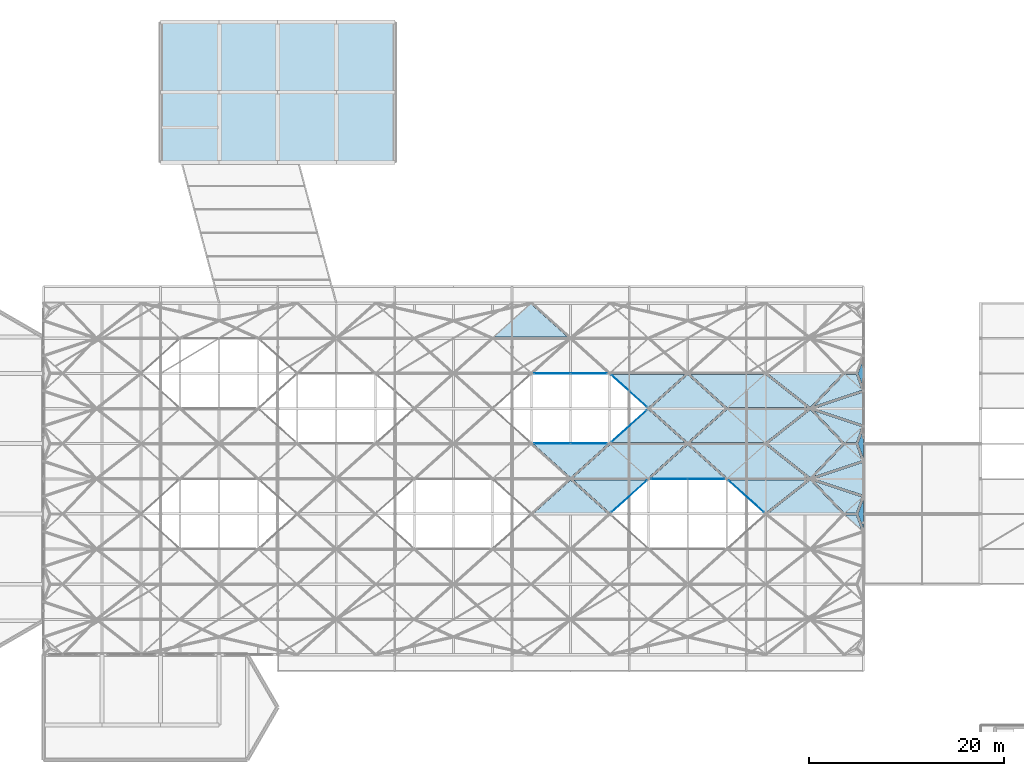
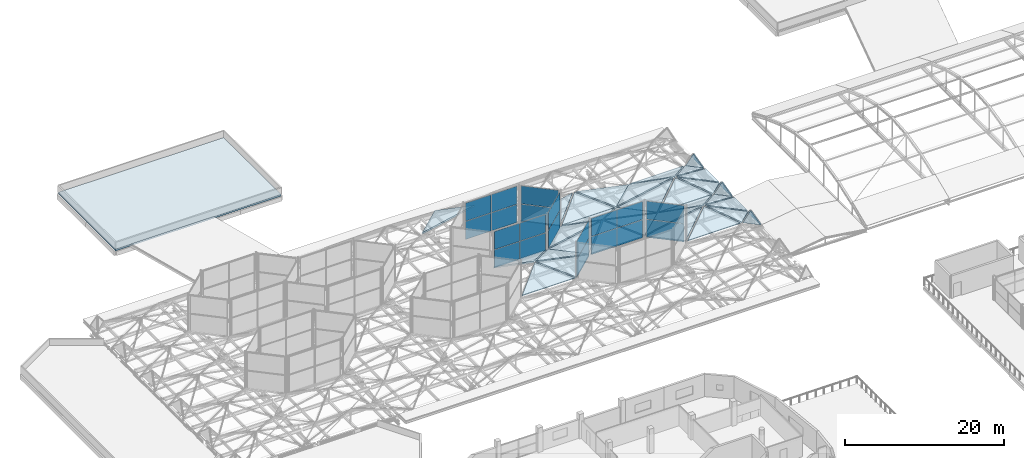
# One storey, part 215 of 239: 37 slabs, 20 plates, 7 elements without a shape of their own.
"""IFC4 building model written with IfcOpenShell, lengths in metres."""

import ifcopenshell
import ifcopenshell.guid

model = None  # the IFC model being written
_history = None  # IfcOwnerHistory: only IFC2X3 demands one
_inside = {}  # id of a spatial element -> (the spatial element, [elements in it])
_under = {}  # id of a project, library or spatial element -> (it, [spatial elements below it])
_declared = {}  # id of a project -> (the project, [libraries it declares])
_typed = {}  # id of a type object -> (the type object, [elements of that type])
_made_of = {}  # id of a material, layer set ... -> (it, [elements and type objects made of it])


def new_model(schema):
    """Start an empty IFC model of exactly this schema.

    Asked for "IFC4X3", IfcOpenShell would pick the latest addendum, in which some entities
    have other attributes; the version numbers below select the first issue.
    IFC2X3 requires an IfcOwnerHistory on every rooted entity: one is made here for all.
    """
    global model, _history
    if schema == "IFC4X3":
        model = ifcopenshell.file(schema_version=(4, 3, 0, 0))
    else:
        model = ifcopenshell.file(schema=schema)
    _inside.clear()
    _under.clear()
    _declared.clear()
    _typed.clear()
    _made_of.clear()
    _history = None
    if model.schema == "IFC2X3":
        org = make("IfcOrganization", Name="unknown")
        user = make(
            "IfcPersonAndOrganization",
            ThePerson=make("IfcPerson", FamilyName="unknown"),
            TheOrganization=org,
        )
        app = make(
            "IfcApplication",
            ApplicationDeveloper=org,
            Version="unknown",
            ApplicationFullName="unknown",
            ApplicationIdentifier="unknown",
        )
        _history = make(
            "IfcOwnerHistory",
            OwningUser=user,
            OwningApplication=app,
            ChangeAction="ADDED",
            CreationDate=0,
        )
    return model


def make(cls, **values):
    """One entity of the class cls with the attributes given. An attribute that is None is left unset."""
    return model.create_entity(
        cls, **{name: value for name, value in values.items() if value is not None}
    )


def rooted(cls, **values):
    """An entity with a GlobalId (a new one), such as an element, a storey or a relation."""
    return make(cls, GlobalId=ifcopenshell.guid.new(), OwnerHistory=_history, **values)


def si_unit(unit_type, name, prefix=None):
    """IfcSIUnit, for example si_unit("LENGTHUNIT", "METRE", prefix="MILLI")."""
    return make("IfcSIUnit", UnitType=unit_type, Prefix=prefix, Name=name)


def assignment(units):
    """IfcUnitAssignment: the units of a project."""
    return None if units is None else make("IfcUnitAssignment", Units=units)


def point(xyz):
    """IfcCartesianPoint."""
    return None if xyz is None else make("IfcCartesianPoint", Coordinates=xyz)


def direction(xyz):
    """IfcDirection."""
    return None if xyz is None else make("IfcDirection", DirectionRatios=xyz)


def frame(location, z_axis=None, x_axis=None):
    """IfcAxis2Placement3D, a coordinate frame: its origin and axes. An axis left out is left unset."""
    return make(
        "IfcAxis2Placement3D",
        Location=point(location),
        Axis=direction(z_axis),
        RefDirection=direction(x_axis),
    )


def frame_2d(location, x_axis=None):
    """IfcAxis2Placement2D, a coordinate frame in the plane: its origin and x axis."""
    return make(
        "IfcAxis2Placement2D", Location=point(location), RefDirection=direction(x_axis)
    )


def origin():
    """The frame at (0, 0, 0) with its axes left unset."""
    return frame((0.0, 0.0, 0.0))


def origin_2d():
    """The frame at (0, 0) in the plane with its x axis left unset."""
    return frame_2d((0.0, 0.0))


def place(relative_to, where):
    """IfcLocalPlacement: puts the frame where relative to a parent placement (None: the world)."""
    return make(
        "IfcLocalPlacement", PlacementRelTo=relative_to, RelativePlacement=where
    )


def context(
    kind, dimensions, precision=None, world=None, true_north=None, identifier=None
):
    """IfcGeometricRepresentationContext, for example the 3D "Model" context."""
    return make(
        "IfcGeometricRepresentationContext",
        ContextIdentifier=identifier,
        ContextType=kind,
        CoordinateSpaceDimension=dimensions,
        Precision=precision,
        WorldCoordinateSystem=world,
        TrueNorth=true_north,
    )


def subcontext(parent, identifier, kind, view, scale=None):
    """IfcGeometricRepresentationSubContext, for example "Body" below "Model"."""
    return make(
        "IfcGeometricRepresentationSubContext",
        ContextIdentifier=identifier,
        ContextType=kind,
        ParentContext=parent,
        TargetScale=scale,
        TargetView=view,
    )


def project(units=None, contexts=None):
    """IfcProject with its units and contexts."""
    return rooted(
        "IfcProject",
        Name="project",
        RepresentationContexts=contexts,
        UnitsInContext=assignment(units),
    )


def spatial(cls, under=None, at=None, **own):
    """A site, building, storey or space (cls), placed at a placement, below another one or the project."""
    s = rooted(cls, ObjectPlacement=at, **own)
    if under is not None:
        _under.setdefault(under.id(), (under, []))[1].append(s)
    return s


def polyline(points):
    """IfcPolyline through the points."""
    return make("IfcPolyline", Points=[point(p) for p in points])


def profile(cls, at=None, kind="AREA", **sizes):
    """A parametric profile (cls). Its sizes go by their IFC names, for example OverallWidth=200.0."""
    return make(cls, ProfileType=kind, Position=at, **sizes)


def rectangle(**sizes):
    """IfcRectangleProfileDef."""
    return profile("IfcRectangleProfileDef", **sizes)


def outline(outer, holes=None, kind="AREA"):
    """IfcArbitraryClosedProfileDef: a profile drawn as a closed curve; with holes, ...WithVoids."""
    if holes is None:
        return make("IfcArbitraryClosedProfileDef", ProfileType=kind, OuterCurve=outer)
    return make(
        "IfcArbitraryProfileDefWithVoids",
        ProfileType=kind,
        OuterCurve=outer,
        InnerCurves=holes,
    )


def extrude(swept, where, along, depth):
    """IfcExtrudedAreaSolid: the profile swept, set in the frame where, extruded along a direction by depth."""
    return make(
        "IfcExtrudedAreaSolid",
        SweptArea=swept,
        Position=where,
        ExtrudedDirection=direction(along),
        Depth=depth,
    )


def shape(context_of_items, identifier, shape_type, items):
    """IfcShapeRepresentation: the items that make up one representation, for example the "Body"."""
    return make(
        "IfcShapeRepresentation",
        ContextOfItems=context_of_items,
        RepresentationIdentifier=identifier,
        RepresentationType=shape_type,
        Items=items,
    )


def material(Name=None, Category=None):
    """IfcMaterial."""
    return make("IfcMaterial", Name=Name, Category=Category)


def layer(
    of_material, thickness, ventilated=None, Name=None, Category=None, Priority=None
):
    """IfcMaterialLayer: one layer of a wall or slab, of a material (None: an air gap)."""
    return make(
        "IfcMaterialLayer",
        Material=of_material,
        LayerThickness=thickness,
        IsVentilated=ventilated,
        Name=Name,
        Category=Category,
        Priority=Priority,
    )


def layer_set(layers, Name=None):
    """IfcMaterialLayerSet."""
    return make("IfcMaterialLayerSet", MaterialLayers=layers, LayerSetName=Name)


def made_of(thing, what):
    """Note that an element or type object is made of a material, layer set ...; save() writes the relation."""
    if what is not None:
        _made_of.setdefault(what.id(), (what, []))[1].append(thing)
    return thing


def type_object(cls, material=None, **own):
    """A type object (cls), such as IfcWallType, which elements share."""
    return made_of(rooted(cls, **own), material)


def element(
    cls,
    number,
    at=None,
    inside=None,
    cuts=None,
    type_object=None,
    material=None,
    context=None,
    identifier="Body",
    shape_type=None,
    held_by="IfcProductDefinitionShape",
    body=None,
    shapes=None,
    **own,
):
    """One element of the class cls, such as IfcWall. Its Tag is "e" and its number.

    at: its placement. inside: the storey or other place that contains it. cuts: it is an
    opening in that element (IfcRelVoidsElement). A single representation is given by context,
    identifier, shape_type and body (its items); several are given by shapes. held_by: the class
    of the entity that holds the representations. save() writes the other relations.
    """
    e = rooted(cls, Tag="e%d" % number, ObjectPlacement=at, **own)
    if body is not None:
        shapes = [shape(context, identifier, shape_type, body)]
    if shapes is not None:
        e.Representation = make(held_by, Representations=shapes)
    if inside is not None:
        _inside.setdefault(inside.id(), (inside, []))[1].append(e)
    if cuts is not None:
        rooted(
            "IfcRelVoidsElement", RelatingBuildingElement=cuts, RelatedOpeningElement=e
        )
    if type_object is not None:
        _typed.setdefault(type_object.id(), (type_object, []))[1].append(e)
    return made_of(e, material)


def aggregate(whole, parts):
    """IfcRelAggregates: a whole, such as a stair, and the parts it consists of."""
    return rooted("IfcRelAggregates", RelatingObject=whole, RelatedObjects=parts)


def save(model, path):
    """Write the relations noted so far, then the file.

    IfcRelAggregates (storeys below a building ...), IfcRelContainedInSpatialStructure (elements
    in a storey), IfcRelDefinesByType, IfcRelAssociatesMaterial and IfcRelDeclares: one each for
    every whole, place, type object, material and project.
    """
    for whole, parts in _under.values():
        aggregate(whole, parts)
    for where, things in _inside.values():
        rooted(
            "IfcRelContainedInSpatialStructure",
            RelatedElements=things,
            RelatingStructure=where,
        )
    for kind, things in _typed.values():
        rooted("IfcRelDefinesByType", RelatedObjects=things, RelatingType=kind)
    for what, things in _made_of.values():
        rooted("IfcRelAssociatesMaterial", RelatedObjects=things, RelatingMaterial=what)
    for by, libraries in _declared.values():
        rooted("IfcRelDeclares", RelatingContext=by, RelatedDefinitions=libraries)
    model.write(path)


model = new_model("IFC4")

# Units and contexts
model_context = context("Model", 3, precision=1e-05, world=origin(), true_north=direction((0.0, 1.0)))
body_context = subcontext(model_context, "Body", "Model", "MODEL_VIEW")
ifc_project = project(units=[si_unit("LENGTHUNIT", "METRE"), si_unit("AREAUNIT", "SQUARE_METRE"), si_unit("VOLUMEUNIT", "CUBIC_METRE"), si_unit("PLANEANGLEUNIT", "RADIAN"), si_unit("MASSUNIT", "GRAM", prefix="KILO")], contexts=[model_context])

# Site, building, storey
site_placement = place(None, origin())
site = spatial("IfcSite", under=ifc_project, at=site_placement, CompositionType="ELEMENT")
building_placement = place(site_placement, origin())
building = spatial("IfcBuilding", under=site, at=building_placement, Name="Dunvalen Ferry Terminal", CompositionType="ELEMENT")
storey_placement = place(building_placement, frame((0.0, 0.0, 9.840087890625)))
storey = spatial("IfcBuildingStorey", under=building, at=storey_placement, Name="L02", CompositionType="ELEMENT", Elevation=9.840087890625)

# Curtain wall, plates
ifc_material_1 = material(Name="Anodised marine aluminium and solar-control glazing", Category="aluminium")
ifc_layer_1 = layer(ifc_material_1, 0.179931640625, Name="Anodised marine aluminium and solar-control glazing")
ifc_layer_set_1 = layer_set([ifc_layer_1], Name="Anodised marine aluminium and solar-control glazing")
curtain_wall_type_1 = type_object("IfcCurtainWallType", Name="ENV-CW-SYS-06", PredefinedType="NOTDEFINED", material=ifc_layer_set_1)
curtain_wall_1_placement = place(storey_placement, origin())
curtain_wall_1 = element("IfcCurtainWall", 1, at=curtain_wall_1_placement, inside=storey, type_object=curtain_wall_type_1, Name="L02 Curtain Wall CW-HEX-32-SK-2", PredefinedType="NOTDEFINED")
ifc_material_2 = material(Name="Low-E solar-control laminated double glazing", Category="glass")
ifc_layer_2 = layer(ifc_material_2, 0.0400390625, Name="Low-E solar-control laminated double glazing")
ifc_layer_set_2 = layer_set([ifc_layer_2], Name="Low-E solar-control laminated double glazing")
plate_type = type_object("IfcPlateType", Name="ENV-CW-PNL-4", PredefinedType="CURTAIN_PANEL", material=ifc_layer_set_2)
plate_1_placement = place(storey_placement, frame((64.125, 72.0, 1.19970703125), z_axis=(0.0, 0.0, 1.0), x_axis=(1.0, 0.0, 0.0)))
plate_1 = element("IfcPlate", 2, at=plate_1_placement, type_object=plate_type, Name="CW-06 panel 1.1", PredefinedType="CURTAIN_PANEL", context=body_context, shape_type="SweptSolid", body=[
    extrude(rectangle(XDim=3.68994140625, YDim=0.0400390625, at=origin_2d()), origin(), (0.0, 0.0, 1.0), 2.760009765625),
])
plate_2_placement = place(storey_placement, frame((64.125, 72.0, 4.02001953125), z_axis=(0.0, 0.0, 1.0), x_axis=(1.0, 0.0, 0.0)))
plate_2 = element("IfcPlate", 3, at=plate_2_placement, type_object=plate_type, Name="CW-06 panel 1.2", PredefinedType="CURTAIN_PANEL", context=body_context, shape_type="SweptSolid", body=[
    extrude(rectangle(XDim=3.68994140625, YDim=0.0400390625, at=origin_2d()), origin(), (0.0, 0.0, 1.0), 2.760009765625),
])
plate_3_placement = place(storey_placement, frame((67.875, 72.0, 1.19970703125), z_axis=(0.0, 0.0, 1.0), x_axis=(1.0, 0.0, 0.0)))
plate_3 = element("IfcPlate", 4, at=plate_3_placement, type_object=plate_type, Name="CW-06 panel 2.1", PredefinedType="CURTAIN_PANEL", context=body_context, shape_type="SweptSolid", body=[
    extrude(rectangle(XDim=3.68994140625, YDim=0.0400390625, at=origin_2d()), origin(), (0.0, 0.0, 1.0), 2.760009765625),
])
plate_4_placement = place(storey_placement, frame((67.875, 72.0, 4.02001953125), z_axis=(0.0, 0.0, 1.0), x_axis=(1.0, 0.0, 0.0)))
plate_4 = element("IfcPlate", 5, at=plate_4_placement, type_object=plate_type, Name="CW-06 panel 2.2", PredefinedType="CURTAIN_PANEL", context=body_context, shape_type="SweptSolid", body=[
    extrude(rectangle(XDim=3.68994140625, YDim=0.0400390625, at=origin_2d()), origin(), (0.0, 0.0, 1.0), 2.760009765625),
])
aggregate(curtain_wall_1, [plate_1, plate_2, plate_3, plate_4])

ifc_layer_3 = layer(ifc_material_1, 0.179931640625, Name="Anodised marine aluminium and solar-control glazing")
ifc_layer_set_3 = layer_set([ifc_layer_3], Name="Anodised marine aluminium and solar-control glazing")
curtain_wall_type_2 = type_object("IfcCurtainWallType", Name="ENV-CW-SYS-05", PredefinedType="NOTDEFINED", material=ifc_layer_set_3)
curtain_wall_2_placement = place(storey_placement, origin())
curtain_wall_2 = element("IfcCurtainWall", 6, at=curtain_wall_2_placement, inside=storey, type_object=curtain_wall_type_2, Name="L02 Curtain Wall CW-HEX-32-SK-3", PredefinedType="NOTDEFINED")
plate_5_placement = place(storey_placement, frame((72.0, 73.800048828125, 1.19970703125), z_axis=(0.0, 0.0, 1.0), x_axis=(0.74330420875, 0.668953550894, 0.0)))
plate_5 = element("IfcPlate", 7, at=plate_5_placement, type_object=plate_type, Name="CW-05 panel 1.1", PredefinedType="CURTAIN_PANEL", context=body_context, shape_type="SweptSolid", body=[
    extrude(rectangle(XDim=4.821533203125, YDim=0.0400390625, at=origin_2d()), origin(), (0.0, 0.0, 1.0), 2.760009765625),
])
plate_6_placement = place(storey_placement, frame((72.0, 73.800048828125, 4.02001953125), z_axis=(0.0, 0.0, 1.0), x_axis=(0.74330420875, 0.668953550894, 0.0)))
plate_6 = element("IfcPlate", 8, at=plate_6_placement, type_object=plate_type, Name="CW-05 panel 1.2", PredefinedType="CURTAIN_PANEL", context=body_context, shape_type="SweptSolid", body=[
    extrude(rectangle(XDim=4.821533203125, YDim=0.0400390625, at=origin_2d()), origin(), (0.0, 0.0, 1.0), 2.760009765625),
])
aggregate(curtain_wall_2, [plate_5, plate_6])

curtain_wall_3_placement = place(storey_placement, origin())
curtain_wall_3 = element("IfcCurtainWall", 9, at=curtain_wall_3_placement, inside=storey, type_object=curtain_wall_type_1, Name="L02 Curtain Wall CW-HEX-32-SK-4", PredefinedType="NOTDEFINED")
plate_7_placement = place(storey_placement, frame((72.0, 77.39990234375, 1.19970703125), z_axis=(0.0, 0.0, 1.0), x_axis=(-0.74330420875, 0.668953550894, 0.0)))
plate_7 = element("IfcPlate", 10, at=plate_7_placement, type_object=plate_type, Name="CW-06 panel 1.1", PredefinedType="CURTAIN_PANEL", context=body_context, shape_type="SweptSolid", body=[
    extrude(rectangle(XDim=4.821533203125, YDim=0.0400390625, at=origin_2d()), origin(), (0.0, 0.0, 1.0), 2.760009765625),
])
plate_8_placement = place(storey_placement, frame((72.0, 77.39990234375, 4.02001953125), z_axis=(0.0, 0.0, 1.0), x_axis=(-0.74330420875, 0.668953550894, 0.0)))
plate_8 = element("IfcPlate", 11, at=plate_8_placement, type_object=plate_type, Name="CW-06 panel 1.2", PredefinedType="CURTAIN_PANEL", context=body_context, shape_type="SweptSolid", body=[
    extrude(rectangle(XDim=4.821533203125, YDim=0.0400390625, at=origin_2d()), origin(), (0.0, 0.0, 1.0), 2.760009765625),
])
aggregate(curtain_wall_3, [plate_7, plate_8])

curtain_wall_4_placement = place(storey_placement, origin())
curtain_wall_4 = element("IfcCurtainWall", 12, at=curtain_wall_4_placement, inside=storey, type_object=curtain_wall_type_2, Name="L02 Curtain Wall CW-HEX-32-SK-5", PredefinedType="NOTDEFINED")
plate_9_placement = place(storey_placement, frame((67.875, 79.199951171875, 1.19970703125), z_axis=(0.0, 0.0, 1.0), x_axis=(-1.0, 0.0, 0.0)))
plate_9 = element("IfcPlate", 13, at=plate_9_placement, type_object=plate_type, Name="CW-05 panel 1.1", PredefinedType="CURTAIN_PANEL", context=body_context, shape_type="SweptSolid", body=[
    extrude(rectangle(XDim=3.68994140625, YDim=0.0400390625, at=origin_2d()), origin(), (0.0, 0.0, 1.0), 2.760009765625),
])
plate_10_placement = place(storey_placement, frame((67.875, 79.199951171875, 4.02001953125), z_axis=(0.0, 0.0, 1.0), x_axis=(-1.0, 0.0, 0.0)))
plate_10 = element("IfcPlate", 14, at=plate_10_placement, type_object=plate_type, Name="CW-05 panel 1.2", PredefinedType="CURTAIN_PANEL", context=body_context, shape_type="SweptSolid", body=[
    extrude(rectangle(XDim=3.68994140625, YDim=0.0400390625, at=origin_2d()), origin(), (0.0, 0.0, 1.0), 2.760009765625),
])
plate_11_placement = place(storey_placement, frame((64.125, 79.199951171875, 1.19970703125), z_axis=(0.0, 0.0, 1.0), x_axis=(-1.0, 0.0, 0.0)))
plate_11 = element("IfcPlate", 15, at=plate_11_placement, type_object=plate_type, Name="CW-05 panel 2.1", PredefinedType="CURTAIN_PANEL", context=body_context, shape_type="SweptSolid", body=[
    extrude(rectangle(XDim=3.68994140625, YDim=0.0400390625, at=origin_2d()), origin(), (0.0, 0.0, 1.0), 2.760009765625),
])
plate_12_placement = place(storey_placement, frame((64.125, 79.199951171875, 4.02001953125), z_axis=(0.0, 0.0, 1.0), x_axis=(-1.0, 0.0, 0.0)))
plate_12 = element("IfcPlate", 16, at=plate_12_placement, type_object=plate_type, Name="CW-05 panel 2.2", PredefinedType="CURTAIN_PANEL", context=body_context, shape_type="SweptSolid", body=[
    extrude(rectangle(XDim=3.68994140625, YDim=0.0400390625, at=origin_2d()), origin(), (0.0, 0.0, 1.0), 2.760009765625),
])
aggregate(curtain_wall_4, [plate_9, plate_10, plate_11, plate_12])

curtain_wall_5_placement = place(storey_placement, origin())
curtain_wall_5 = element("IfcCurtainWall", 17, at=curtain_wall_5_placement, inside=storey, type_object=curtain_wall_type_1, Name="L02 Curtain Wall CW-HEX-36-SK-4", PredefinedType="NOTDEFINED")
plate_13_placement = place(storey_placement, frame((84.0, 66.60009765625, 1.19970703125), z_axis=(0.0, 0.0, 1.0), x_axis=(-0.74330420875, 0.668953550894, 0.0)))
plate_13 = element("IfcPlate", 18, at=plate_13_placement, type_object=plate_type, Name="CW-06 panel 1.1", PredefinedType="CURTAIN_PANEL", context=body_context, shape_type="SweptSolid", body=[
    extrude(rectangle(XDim=4.821533203125, YDim=0.0400390625, at=origin_2d()), origin(), (0.0, 0.0, 1.0), 2.760009765625),
])
plate_14_placement = place(storey_placement, frame((84.0, 66.60009765625, 4.02001953125), z_axis=(0.0, 0.0, 1.0), x_axis=(-0.74330420875, 0.668953550894, 0.0)))
plate_14 = element("IfcPlate", 19, at=plate_14_placement, type_object=plate_type, Name="CW-06 panel 1.2", PredefinedType="CURTAIN_PANEL", context=body_context, shape_type="SweptSolid", body=[
    extrude(rectangle(XDim=4.821533203125, YDim=0.0400390625, at=origin_2d()), origin(), (0.0, 0.0, 1.0), 2.760009765625),
])
aggregate(curtain_wall_5, [plate_13, plate_14])

curtain_wall_6_placement = place(storey_placement, origin())
curtain_wall_6 = element("IfcCurtainWall", 20, at=curtain_wall_6_placement, inside=storey, type_object=curtain_wall_type_2, Name="L02 Curtain Wall CW-HEX-36-SK-5", PredefinedType="NOTDEFINED")
plate_15_placement = place(storey_placement, frame((79.875, 68.39990234375, 1.19970703125), z_axis=(0.0, 0.0, 1.0), x_axis=(-1.0, 0.0, 0.0)))
plate_15 = element("IfcPlate", 21, at=plate_15_placement, type_object=plate_type, Name="CW-05 panel 1.1", PredefinedType="CURTAIN_PANEL", context=body_context, shape_type="SweptSolid", body=[
    extrude(rectangle(XDim=3.68994140625, YDim=0.0400390625, at=origin_2d()), origin(), (0.0, 0.0, 1.0), 2.760009765625),
])
plate_16_placement = place(storey_placement, frame((79.875, 68.39990234375, 4.02001953125), z_axis=(0.0, 0.0, 1.0), x_axis=(-1.0, 0.0, 0.0)))
plate_16 = element("IfcPlate", 22, at=plate_16_placement, type_object=plate_type, Name="CW-05 panel 1.2", PredefinedType="CURTAIN_PANEL", context=body_context, shape_type="SweptSolid", body=[
    extrude(rectangle(XDim=3.68994140625, YDim=0.0400390625, at=origin_2d()), origin(), (0.0, 0.0, 1.0), 2.760009765625),
])
plate_17_placement = place(storey_placement, frame((76.125, 68.39990234375, 1.19970703125), z_axis=(0.0, 0.0, 1.0), x_axis=(-1.0, 0.0, 0.0)))
plate_17 = element("IfcPlate", 23, at=plate_17_placement, type_object=plate_type, Name="CW-05 panel 2.1", PredefinedType="CURTAIN_PANEL", context=body_context, shape_type="SweptSolid", body=[
    extrude(rectangle(XDim=3.68994140625, YDim=0.0400390625, at=origin_2d()), origin(), (0.0, 0.0, 1.0), 2.760009765625),
])
plate_18_placement = place(storey_placement, frame((76.125, 68.39990234375, 4.02001953125), z_axis=(0.0, 0.0, 1.0), x_axis=(-1.0, 0.0, 0.0)))
plate_18 = element("IfcPlate", 24, at=plate_18_placement, type_object=plate_type, Name="CW-05 panel 2.2", PredefinedType="CURTAIN_PANEL", context=body_context, shape_type="SweptSolid", body=[
    extrude(rectangle(XDim=3.68994140625, YDim=0.0400390625, at=origin_2d()), origin(), (0.0, 0.0, 1.0), 2.760009765625),
])
aggregate(curtain_wall_6, [plate_15, plate_16, plate_17, plate_18])

curtain_wall_7_placement = place(storey_placement, origin())
curtain_wall_7 = element("IfcCurtainWall", 25, at=curtain_wall_7_placement, inside=storey, type_object=curtain_wall_type_1, Name="L02 Curtain Wall CW-HEX-36-SK-6", PredefinedType="NOTDEFINED")
plate_19_placement = place(storey_placement, frame((72.0, 66.60009765625, 1.19970703125), z_axis=(0.0, 0.0, 1.0), x_axis=(-0.74330420875, -0.668953550894, 0.0)))
plate_19 = element("IfcPlate", 26, at=plate_19_placement, type_object=plate_type, Name="CW-06 panel 1.1", PredefinedType="CURTAIN_PANEL", context=body_context, shape_type="SweptSolid", body=[
    extrude(rectangle(XDim=4.821533203125, YDim=0.0400390625, at=origin_2d()), origin(), (0.0, 0.0, 1.0), 2.760009765625),
])
plate_20_placement = place(storey_placement, frame((72.0, 66.60009765625, 4.02001953125), z_axis=(0.0, 0.0, 1.0), x_axis=(-0.74330420875, -0.668953550894, 0.0)))
plate_20 = element("IfcPlate", 27, at=plate_20_placement, type_object=plate_type, Name="CW-06 panel 1.2", PredefinedType="CURTAIN_PANEL", context=body_context, shape_type="SweptSolid", body=[
    extrude(rectangle(XDim=4.821533203125, YDim=0.0400390625, at=origin_2d()), origin(), (0.0, 0.0, 1.0), 2.760009765625),
])
aggregate(curtain_wall_7, [plate_19, plate_20])

# Slabs
ifc_material_3 = material(Name="Precast concrete C40/50 - Atlantic Blue Marine Enamel", Category="concrete")
ifc_layer_4 = layer(ifc_material_3, 0.18994140625, Name="Precast concrete C40/50 - Atlantic Blue Marine Enamel")
ifc_layer_set_4 = layer_set([ifc_layer_4], Name="Precast concrete C40/50 - Atlantic Blue Marine Enamel")
slab_type_1 = type_object("IfcSlabType", Name="STR-ROOF-HEX-ATLANTIC", PredefinedType="ROOF", material=ifc_layer_set_4)
slab_1_placement = place(storey_placement, frame((62.157958984375, 64.800048828125, 1.406982421875), z_axis=(0.0, -0.422832911751, 0.906207663144), x_axis=(1.0, 0.0, 0.0)))
element("IfcSlab", 28, at=slab_1_placement, inside=storey, type_object=slab_type_1, Name="HEX-31 Sea-Roof Pyramid Facet 2", PredefinedType="ROOF", context=body_context, shape_type="SweptSolid", body=[
    extrude(outline(polyline([(0.0, 0.0), (7.68408203125, 0.0), (3.842041015625, 3.8148333881963206), (0.0, 0.0)])), origin(), (0.0, 0.0, -1.0), 0.18994140625),
])
slab_2_placement = place(storey_placement, frame((70.0791015625, 64.87109375, 1.406982421875), z_axis=(0.200317033625, -0.222563368957, 0.954116676743), x_axis=(0.743277537566, 0.668983185252, 0.0)))
element("IfcSlab", 29, at=slab_2_placement, inside=storey, type_object=slab_type_1, Name="HEX-31 Sea-Roof Pyramid Facet 3", PredefinedType="ROOF", context=body_context, shape_type="SweptSolid", body=[
    extrude(outline(polyline([(0.0, 0.0), (5.116498647435961, 0.0), (-0.5370198298254691, 5.333122050650035), (0.0, 0.0)])), origin(), (0.0, 0.0, -1.0), 0.18994140625),
])
slab_3_placement = place(storey_placement, frame((73.882080078125, 68.506103515625, 1.406982421875), z_axis=(0.200317033625, 0.222563368957, 0.954116676743), x_axis=(-0.743277537566, 0.668983185252, 0.0)))
element("IfcSlab", 30, at=slab_3_placement, inside=storey, type_object=slab_type_1, Name="HEX-31 Sea-Roof Pyramid Facet 4", PredefinedType="ROOF", context=body_context, shape_type="SweptSolid", body=[
    extrude(outline(polyline([(0.0, 0.0), (5.116498647435961, 0.0), (5.65351847726143, 5.333122050650035), (0.0, 0.0)])), origin(), (0.0, 0.0, -1.0), 0.18994140625),
])
slab_4_placement = place(storey_placement, frame((69.842041015625, 72.0, 1.406982421875), z_axis=(0.0, 0.422832911751, 0.906207663144), x_axis=(-1.0, 0.0, 0.0)))
element("IfcSlab", 31, at=slab_4_placement, inside=storey, type_object=slab_type_1, Name="HEX-31 Sea-Roof Pyramid Facet 5", PredefinedType="ROOF", context=body_context, shape_type="SweptSolid", body=[
    extrude(outline(polyline([(0.0, 0.0), (7.68408203125, 0.0), (3.842041015625, 3.8148333881963206), (0.0, 0.0)])), origin(), (0.0, 0.0, -1.0), 0.18994140625),
])
slab_5_placement = place(storey_placement, frame((70.117919921875, 71.89404296875, 1.406982421875), z_axis=(-0.200317741298, -0.222548281592, 0.954120047416), x_axis=(0.743253811371, -0.669009545434, 0.0)))
element("IfcSlab", 32, at=slab_5_placement, inside=storey, type_object=slab_type_1, Name="HEX-37 Sea-Roof Pyramid Facet 1", PredefinedType="ROOF", context=body_context, shape_type="SweptSolid", body=[
    extrude(outline(polyline([(0.0, 0.0), (5.116661976626771, 4.440892098500626e-16), (5.653338011050778, 5.33331335219247), (0.0, 0.0)])), origin(), (0.0, 0.0, -1.0), 0.18994140625),
])
slab_6_placement = place(storey_placement, frame((74.157958984375, 68.39990234375, 1.406982421875), z_axis=(0.0, -0.422832911751, 0.906207663144), x_axis=(1.0, 0.0, 0.0)))
element("IfcSlab", 33, at=slab_6_placement, inside=storey, type_object=slab_type_1, Name="HEX-37 Sea-Roof Pyramid Facet 2", PredefinedType="ROOF", context=body_context, shape_type="SweptSolid", body=[
    extrude(outline(polyline([(0.0, 0.0), (7.68408203125, 0.0), (3.842041015625, 3.8148333881963206), (0.0, 0.0)])), origin(), (0.0, 0.0, -1.0), 0.18994140625),
])
slab_7_placement = place(storey_placement, frame((82.0791015625, 68.470947265625, 1.406982421875), z_axis=(0.200317741298, -0.222548281592, 0.954120047416), x_axis=(0.743253811371, 0.669009545434, 0.0)))
element("IfcSlab", 34, at=slab_7_placement, inside=storey, type_object=slab_type_1, Name="HEX-37 Sea-Roof Pyramid Facet 3", PredefinedType="ROOF", context=body_context, shape_type="SweptSolid", body=[
    extrude(outline(polyline([(0.0, 0.0), (5.116661976626771, -4.440892098500626e-16), (-0.5366760344240071, 5.333313352192469), (0.0, 0.0)])), origin(), (0.0, 0.0, -1.0), 0.18994140625),
])
slab_8_placement = place(storey_placement, frame((85.882080078125, 72.10595703125, 1.406982421875), z_axis=(0.200317741298, 0.222548281592, 0.954120047416), x_axis=(-0.743253811371, 0.669009545434, 0.0)))
element("IfcSlab", 35, at=slab_8_placement, inside=storey, type_object=slab_type_1, Name="HEX-37 Sea-Roof Pyramid Facet 4", PredefinedType="ROOF", context=body_context, shape_type="SweptSolid", body=[
    extrude(outline(polyline([(0.0, 0.0), (5.116661976626771, 4.440892098500626e-16), (5.653338011050778, 5.33331335219247), (0.0, 0.0)])), origin(), (0.0, 0.0, -1.0), 0.18994140625),
])
slab_9_placement = place(storey_placement, frame((81.842041015625, 75.60009765625, 1.406982421875), z_axis=(0.0, 0.422832911751, 0.906207663144), x_axis=(-1.0, 0.0, 0.0)))
element("IfcSlab", 36, at=slab_9_placement, inside=storey, type_object=slab_type_1, Name="HEX-37 Sea-Roof Pyramid Facet 5", PredefinedType="ROOF", context=body_context, shape_type="SweptSolid", body=[
    extrude(outline(polyline([(0.0, 0.0), (7.68408203125, 0.0), (3.842041015625, 3.8148333881963206), (0.0, 0.0)])), origin(), (0.0, 0.0, -1.0), 0.18994140625),
])
slab_10_placement = place(storey_placement, frame((73.9208984375, 75.529052734375, 1.406982421875), z_axis=(-0.200317741298, 0.222548281592, 0.954120047416), x_axis=(-0.743253811371, -0.669009545434, 0.0)))
element("IfcSlab", 37, at=slab_10_placement, inside=storey, type_object=slab_type_1, Name="HEX-37 Sea-Roof Pyramid Facet 6", PredefinedType="ROOF", context=body_context, shape_type="SweptSolid", body=[
    extrude(outline(polyline([(0.0, 0.0), (5.116661976626771, -4.440892098500626e-16), (-0.5366760344240071, 5.333313352192469), (0.0, 0.0)])), origin(), (0.0, 0.0, -1.0), 0.18994140625),
])
slab_11_placement = place(storey_placement, frame((82.117919921875, 68.2939453125, 1.406982421875), z_axis=(-0.188105839848, -0.209002015122, 0.959653245027), x_axis=(0.743287026378, -0.668972642504, 0.0)))
element("IfcSlab", 38, at=slab_11_placement, inside=storey, type_object=slab_type_1, Name="HEX-42 Sea-Roof Pyramid Facet 1", PredefinedType="ROOF", context=body_context, shape_type="SweptSolid", body=[
    extrude(outline(polyline([(0.0, 0.0), (5.115119487088382, -4.440892098500626e-16), (6.055539079645212, 5.679240761704701), (0.0, 0.0)])), origin(), (0.0, 0.0, -1.0), 0.18994140625),
])
slab_12_placement = place(storey_placement, frame((86.1708984375, 64.800048828125, 1.406982421875), z_axis=(0.0, -0.422832911751, 0.906207663144), x_axis=(1.0, 0.0, 0.0)))
element("IfcSlab", 39, at=slab_12_placement, inside=storey, type_object=slab_type_1, Name="HEX-42 Sea-Roof Pyramid Facet 2", PredefinedType="ROOF", context=body_context, shape_type="SweptSolid", body=[
    extrude(outline(polyline([(0.0, 0.0), (7.68310546875, 0.0), (4.39013671875, 3.8148333881963206), (0.0, 0.0)])), origin(), (0.0, 0.0, -1.0), 0.18994140625),
])
slab_13_placement = place(storey_placement, frame((94.0791015625, 64.87109375, 1.406982421875), z_axis=(0.214272720285, -0.238063154245, 0.947318919864), x_axis=(0.743269490538, 0.66899212584, 0.0)))
element("IfcSlab", 40, at=slab_13_placement, inside=storey, type_object=slab_type_1, Name="HEX-42 Sea-Roof Pyramid Facet 3", PredefinedType="ROOF", context=body_context, shape_type="SweptSolid", body=[
    extrude(outline(polyline([(0.0, 0.0), (2.461871511839899, 0.0), (-0.1282393313089241, 4.801376729288834), (0.0, 0.0)])), origin(), (0.0, 0.0, -1.0), 0.18994140625),
])
slab_14_placement = place(storey_placement, frame((96.0, 66.7119140625, 1.406982421875), z_axis=(0.295652877219, 0.0, 0.955295439219), x_axis=(0.0, 1.0, 0.0)))
element("IfcSlab", 41, at=slab_14_placement, inside=storey, type_object=slab_type_1, Name="HEX-42 Sea-Roof Pyramid Facet 4", PredefinedType="ROOF", context=body_context, shape_type="SweptSolid", body=[
    extrude(outline(polyline([(0.0, 0.0), (3.3759765625, 0.0), (1.68798828125, 5.330331127498515), (0.0, 0.0)])), origin(), (0.0, 0.0, -1.0), 0.18994140625),
])
slab_15_placement = place(storey_placement, frame((95.908935546875, 70.281982421875, 1.406982421875), z_axis=(0.214272720285, 0.238063154245, 0.947318919864), x_axis=(-0.743269490538, 0.66899212584, 0.0)))
element("IfcSlab", 42, at=slab_15_placement, inside=storey, type_object=slab_type_1, Name="HEX-42 Sea-Roof Pyramid Facet 5", PredefinedType="ROOF", context=body_context, shape_type="SweptSolid", body=[
    extrude(outline(polyline([(0.0, 0.0), (2.461871511839899, 0.0), (2.590110843148823, 4.801376729288834), (0.0, 0.0)])), origin(), (0.0, 0.0, -1.0), 0.18994140625),
])
slab_16_placement = place(storey_placement, frame((93.85400390625, 72.0, 1.406982421875), z_axis=(0.0, 0.422832911751, 0.906207663144), x_axis=(-1.0, 0.0, 0.0)))
element("IfcSlab", 43, at=slab_16_placement, inside=storey, type_object=slab_type_1, Name="HEX-42 Sea-Roof Pyramid Facet 6", PredefinedType="ROOF", context=body_context, shape_type="SweptSolid", body=[
    extrude(outline(polyline([(0.0, 0.0), (7.68310546875, 0.0), (3.29296875, 3.8148333881963206), (0.0, 0.0)])), origin(), (0.0, 0.0, -1.0), 0.18994140625),
])
slab_17_placement = place(storey_placement, frame((85.919921875, 71.927978515625, 1.406982421875), z_axis=(-0.188105839848, 0.209002015122, 0.959653245027), x_axis=(-0.743287026378, -0.668972642504, 0.0)))
element("IfcSlab", 44, at=slab_17_placement, inside=storey, type_object=slab_type_1, Name="HEX-42 Sea-Roof Pyramid Facet 7", PredefinedType="ROOF", context=body_context, shape_type="SweptSolid", body=[
    extrude(outline(polyline([(0.0, 0.0), (5.115119487088382, 4.440892098500626e-16), (-0.9404195925568297, 5.679240761704702), (0.0, 0.0)])), origin(), (0.0, 0.0, -1.0), 0.18994140625),
])
slab_18_placement = place(storey_placement, frame((95.830078125, 66.447021484375, 1.406982421875), z_axis=(-0.590858891675, 0.656478676698, 0.468957905541), x_axis=(-0.743278336005, -0.668982298141, 0.0)))
element("IfcSlab", 45, at=slab_18_placement, inside=storey, type_object=slab_type_1, Name="HEX-47 Sea-Roof Pyramid Facet 1", PredefinedType="ROOF", context=body_context, shape_type="SweptSolid", body=[
    extrude(outline(polyline([(0.0, 0.0), (2.3035222744793176, 1.1102230246251565e-16), (1.4546316358488256, 1.629224882080702), (0.0, 0.0)])), origin(), (0.0, 0.0, -1.0), 0.18994140625),
])
slab_19_placement = place(storey_placement, frame((94.117919921875, 64.694091796875, 1.406982421875), z_axis=(-0.590858891675, -0.656478676698, 0.468957905541), x_axis=(0.743278336005, -0.668982298141, 0.0)))
element("IfcSlab", 46, at=slab_19_placement, inside=storey, type_object=slab_type_1, Name="HEX-47 Sea-Roof Pyramid Facet 2", PredefinedType="ROOF", context=body_context, shape_type="SweptSolid", body=[
    extrude(outline(polyline([(0.0, 0.0), (2.3035222744793176, -1.1102230246251565e-16), (0.8488906386304923, 1.629224882080702), (0.0, 0.0)])), origin(), (0.0, 0.0, -1.0), 0.18994140625),
])
slab_20_placement = place(storey_placement, frame((96.0, 63.304931640625, 1.406982421875), z_axis=(0.929404827064, 0.0, 0.3690618748), x_axis=(0.0, 1.0, 0.0)))
element("IfcSlab", 47, at=slab_20_placement, inside=storey, type_object=slab_type_1, Name="HEX-47 Sea-Roof Pyramid Facet 3", PredefinedType="ROOF", context=body_context, shape_type="SweptSolid", body=[
    extrude(outline(polyline([(0.0, 0.0), (2.989990234375, 0.0), (1.4951171875, 1.5009815858795355), (0.0, 0.0)])), origin(), (0.0, 0.0, -1.0), 0.18994140625),
])
ifc_material_4 = material(Name="Precast concrete C40/50 - Deep Navy Marine Enamel", Category="concrete")
ifc_layer_5 = layer(ifc_material_4, 0.2099609375, Name="Precast concrete C40/50 - Deep Navy Marine Enamel")
ifc_layer_set_5 = layer_set([ifc_layer_5], Name="Precast concrete C40/50 - Deep Navy Marine Enamel")
slab_type_2 = type_object("IfcSlabType", Name="STR-ROOF-HEX-NAVY", PredefinedType="ROOF", material=ifc_layer_set_5)
slab_21_placement = place(storey_placement, frame((61.9208984375, 86.3291015625, 1.427001953125), z_axis=(-0.200317741298, 0.222548281592, 0.954120047416), x_axis=(-0.743253811371, -0.669009545434, 0.0)))
element("IfcSlab", 48, at=slab_21_placement, inside=storey, type_object=slab_type_2, Name="HEX-33 Sea-Roof Pyramid Facet 6", PredefinedType="ROOF", context=body_context, shape_type="SweptSolid", body=[
    extrude(outline(polyline([(0.0, 0.0), (5.116661976626771, -4.440892098500626e-16), (-0.5366760344240071, 5.333313352192469), (0.0, 0.0)])), origin(), (0.0, 0.0, -1.0), 0.2099609375),
])
slab_22_placement = place(storey_placement, frame((70.117919921875, 79.093994140625, 1.427001953125), z_axis=(-0.200317741298, -0.222548281592, 0.954120047416), x_axis=(0.743253811371, -0.669009545434, 0.0)))
element("IfcSlab", 49, at=slab_22_placement, inside=storey, type_object=slab_type_2, Name="HEX-38 Sea-Roof Pyramid Facet 1", PredefinedType="ROOF", context=body_context, shape_type="SweptSolid", body=[
    extrude(outline(polyline([(0.0, 0.0), (5.116661976626771, 4.440892098500626e-16), (5.653338011050778, 5.33331335219247), (0.0, 0.0)])), origin(), (0.0, 0.0, -1.0), 0.2099609375),
])
slab_23_placement = place(storey_placement, frame((74.157958984375, 75.60009765625, 1.427001953125), z_axis=(0.0, -0.422804875738, 0.906220744108), x_axis=(1.0, 0.0, 0.0)))
element("IfcSlab", 50, at=slab_23_placement, inside=storey, type_object=slab_type_2, Name="HEX-38 Sea-Roof Pyramid Facet 2", PredefinedType="ROOF", context=body_context, shape_type="SweptSolid", body=[
    extrude(outline(polyline([(0.0, 0.0), (7.68408203125, 0.0), (3.842041015625, 3.814508917225205), (0.0, 0.0)])), origin(), (0.0, 0.0, -1.0), 0.2099609375),
])
slab_24_placement = place(storey_placement, frame((82.0791015625, 75.6708984375, 1.427001953125), z_axis=(0.200317741298, -0.222548281592, 0.954120047416), x_axis=(0.743253811371, 0.669009545434, 0.0)))
element("IfcSlab", 51, at=slab_24_placement, inside=storey, type_object=slab_type_2, Name="HEX-38 Sea-Roof Pyramid Facet 3", PredefinedType="ROOF", context=body_context, shape_type="SweptSolid", body=[
    extrude(outline(polyline([(0.0, 0.0), (5.116661976626771, -4.440892098500626e-16), (-0.5366760344240071, 5.333313352192469), (0.0, 0.0)])), origin(), (0.0, 0.0, -1.0), 0.2099609375),
])
slab_25_placement = place(storey_placement, frame((82.117919921875, 75.493896484375, 1.427001953125), z_axis=(-0.188105839848, -0.209002015122, 0.959653245027), x_axis=(0.743287026378, -0.668972642504, 0.0)))
element("IfcSlab", 52, at=slab_25_placement, inside=storey, type_object=slab_type_2, Name="HEX-43 Sea-Roof Pyramid Facet 1", PredefinedType="ROOF", context=body_context, shape_type="SweptSolid", body=[
    extrude(outline(polyline([(0.0, 0.0), (5.115119487088382, -4.440892098500626e-16), (6.055539079645212, 5.679240761704701), (0.0, 0.0)])), origin(), (0.0, 0.0, -1.0), 0.2099609375),
])
slab_26_placement = place(storey_placement, frame((86.1708984375, 72.0, 1.427001953125), z_axis=(0.0, -0.422780353904, 0.906232184571), x_axis=(1.0, 0.0, 0.0)))
element("IfcSlab", 53, at=slab_26_placement, inside=storey, type_object=slab_type_2, Name="HEX-43 Sea-Roof Pyramid Facet 2", PredefinedType="ROOF", context=body_context, shape_type="SweptSolid", body=[
    extrude(outline(polyline([(0.0, 0.0), (7.68310546875, 0.0), (4.39013671875, 3.814730163920641), (0.0, 0.0)])), origin(), (0.0, 0.0, -1.0), 0.2099609375),
])
slab_27_placement = place(storey_placement, frame((94.0791015625, 72.071044921875, 1.427001953125), z_axis=(0.214272720285, -0.238063154245, 0.947318919864), x_axis=(0.743269490538, 0.66899212584, 0.0)))
element("IfcSlab", 54, at=slab_27_placement, inside=storey, type_object=slab_type_2, Name="HEX-43 Sea-Roof Pyramid Facet 3", PredefinedType="ROOF", context=body_context, shape_type="SweptSolid", body=[
    extrude(outline(polyline([(0.0, 0.0), (2.461871511839899, 0.0), (-0.1282393313089241, 4.801376729288834), (0.0, 0.0)])), origin(), (0.0, 0.0, -1.0), 0.2099609375),
])
slab_28_placement = place(storey_placement, frame((96.0, 73.912109375, 1.427001953125), z_axis=(0.295652877219, 0.0, 0.955295439219), x_axis=(0.0, 1.0, 0.0)))
element("IfcSlab", 55, at=slab_28_placement, inside=storey, type_object=slab_type_2, Name="HEX-43 Sea-Roof Pyramid Facet 4", PredefinedType="ROOF", context=body_context, shape_type="SweptSolid", body=[
    extrude(outline(polyline([(0.0, 0.0), (3.3759765625, 0.0), (1.68798828125, 5.330331127498515), (0.0, 0.0)])), origin(), (0.0, 0.0, -1.0), 0.2099609375),
])
slab_29_placement = place(storey_placement, frame((95.908935546875, 77.48193359375, 1.427001953125), z_axis=(0.214272720285, 0.238063154245, 0.947318919864), x_axis=(-0.743269490538, 0.66899212584, 0.0)))
element("IfcSlab", 56, at=slab_29_placement, inside=storey, type_object=slab_type_2, Name="HEX-43 Sea-Roof Pyramid Facet 5", PredefinedType="ROOF", context=body_context, shape_type="SweptSolid", body=[
    extrude(outline(polyline([(0.0, 0.0), (2.461871511839899, 0.0), (2.590110843148823, 4.801376729288834), (0.0, 0.0)])), origin(), (0.0, 0.0, -1.0), 0.2099609375),
])
slab_30_placement = place(storey_placement, frame((93.85400390625, 79.199951171875, 1.427001953125), z_axis=(0.0, 0.422780353904, 0.906232184571), x_axis=(-1.0, 0.0, 0.0)))
element("IfcSlab", 57, at=slab_30_placement, inside=storey, type_object=slab_type_2, Name="HEX-43 Sea-Roof Pyramid Facet 6", PredefinedType="ROOF", context=body_context, shape_type="SweptSolid", body=[
    extrude(outline(polyline([(0.0, 0.0), (7.68310546875, 0.0), (3.29296875, 3.814730163920641), (0.0, 0.0)])), origin(), (0.0, 0.0, -1.0), 0.2099609375),
])
slab_31_placement = place(storey_placement, frame((85.919921875, 79.1279296875, 1.427001953125), z_axis=(-0.188105839848, 0.209002015122, 0.959653245027), x_axis=(-0.743287026378, -0.668972642504, 0.0)))
element("IfcSlab", 58, at=slab_31_placement, inside=storey, type_object=slab_type_2, Name="HEX-43 Sea-Roof Pyramid Facet 7", PredefinedType="ROOF", context=body_context, shape_type="SweptSolid", body=[
    extrude(outline(polyline([(0.0, 0.0), (5.115119487088382, 4.440892098500626e-16), (-0.9404195925568297, 5.679240761704702), (0.0, 0.0)])), origin(), (0.0, 0.0, -1.0), 0.2099609375),
])
slab_32_placement = place(storey_placement, frame((95.830078125, 73.64697265625, 1.427001953125), z_axis=(-0.590858891675, 0.656478676698, 0.468957905541), x_axis=(-0.743278336005, -0.668982298141, 0.0)))
element("IfcSlab", 59, at=slab_32_placement, inside=storey, type_object=slab_type_2, Name="HEX-48 Sea-Roof Pyramid Facet 1", PredefinedType="ROOF", context=body_context, shape_type="SweptSolid", body=[
    extrude(outline(polyline([(0.0, 0.0), (2.3035222744793176, 1.1102230246251565e-16), (1.4546316358488256, 1.629224882080702), (0.0, 0.0)])), origin(), (0.0, 0.0, -1.0), 0.2099609375),
])
slab_33_placement = place(storey_placement, frame((94.117919921875, 71.89404296875, 1.427001953125), z_axis=(-0.590858891675, -0.656478676698, 0.468957905541), x_axis=(0.743278336005, -0.668982298141, 0.0)))
element("IfcSlab", 60, at=slab_33_placement, inside=storey, type_object=slab_type_2, Name="HEX-48 Sea-Roof Pyramid Facet 2", PredefinedType="ROOF", context=body_context, shape_type="SweptSolid", body=[
    extrude(outline(polyline([(0.0, 0.0), (2.3035222744793176, -1.1102230246251565e-16), (0.8488906386304923, 1.629224882080702), (0.0, 0.0)])), origin(), (0.0, 0.0, -1.0), 0.2099609375),
])
slab_34_placement = place(storey_placement, frame((96.0, 70.5048828125, 1.427001953125), z_axis=(0.929404827064, 0.0, 0.3690618748), x_axis=(0.0, 1.0, 0.0)))
element("IfcSlab", 61, at=slab_34_placement, inside=storey, type_object=slab_type_2, Name="HEX-48 Sea-Roof Pyramid Facet 3", PredefinedType="ROOF", context=body_context, shape_type="SweptSolid", body=[
    extrude(outline(polyline([(0.0, 0.0), (2.990234375, 0.0), (1.4951171875, 1.5009815858795355), (0.0, 0.0)])), origin(), (0.0, 0.0, -1.0), 0.2099609375),
])
ifc_material_5 = material(Name="Precast concrete C40/50 - Pale Sea-Mist Marine Enamel", Category="concrete")
ifc_layer_6 = layer(ifc_material_5, 0.169921875, Name="Precast concrete C40/50 - Pale Sea-Mist Marine Enamel")
ifc_layer_set_6 = layer_set([ifc_layer_6], Name="Precast concrete C40/50 - Pale Sea-Mist Marine Enamel")
slab_type_3 = type_object("IfcSlabType", Name="STR-ROOF-HEX-SEAMIST", PredefinedType="ROOF", material=ifc_layer_set_6)
slab_35_placement = place(storey_placement, frame((94.117919921875, 79.093994140625, 1.386962890625), z_axis=(-0.590858891675, -0.656478676698, 0.468957905541), x_axis=(0.743278336005, -0.668982298141, 0.0)))
element("IfcSlab", 62, at=slab_35_placement, inside=storey, type_object=slab_type_3, Name="HEX-49 Sea-Roof Pyramid Facet 2", PredefinedType="ROOF", context=body_context, shape_type="SweptSolid", body=[
    extrude(outline(polyline([(0.0, 0.0), (2.3035222744793176, -1.1102230246251565e-16), (0.8488906386304923, 1.629224882080702), (0.0, 0.0)])), origin(), (0.0, 0.0, -1.0), 0.169921875),
])
slab_36_placement = place(storey_placement, frame((96.0, 77.705078125, 1.386962890625), z_axis=(0.929404827064, 0.0, 0.3690618748), x_axis=(0.0, 1.0, 0.0)))
element("IfcSlab", 63, at=slab_36_placement, inside=storey, type_object=slab_type_3, Name="HEX-49 Sea-Roof Pyramid Facet 3", PredefinedType="ROOF", context=body_context, shape_type="SweptSolid", body=[
    extrude(outline(polyline([(0.0, 0.0), (2.989990234375, 0.0), (1.494873046875, 1.5009815858795355), (0.0, 0.0)])), origin(), (0.0, 0.0, -1.0), 0.169921875),
])
ifc_material_6 = material(Name="Concrete C40/50", Category="concrete")
ifc_layer_7 = layer(ifc_material_6, 0.239990234375, Name="Concrete C40/50")
ifc_layer_set_7 = layer_set([ifc_layer_7], Name="Concrete C40/50")
slab_type_4 = type_object("IfcSlabType", Name="STR-SLB-RF240", PredefinedType="ROOF", material=ifc_layer_set_7)
slab_37_placement = place(storey_placement, frame((0.0, 0.0, -0.239990234375)))
element("IfcSlab", 64, at=slab_37_placement, inside=storey, type_object=slab_type_4, Name="L02 Berth Pavilion 1 Roof Slab", PredefinedType="ROOF", context=body_context, shape_type="SweptSolid", body=[
    extrude(outline(polyline([(24.0, 100.800048828125), (48.0, 100.800048828125), (48.0, 115.199951171875), (24.0, 115.199951171875), (24.0, 100.800048828125)])), origin(), (0.0, 0.0, 1.0), 0.239990234375),
])

save(model, "model.ifc")
